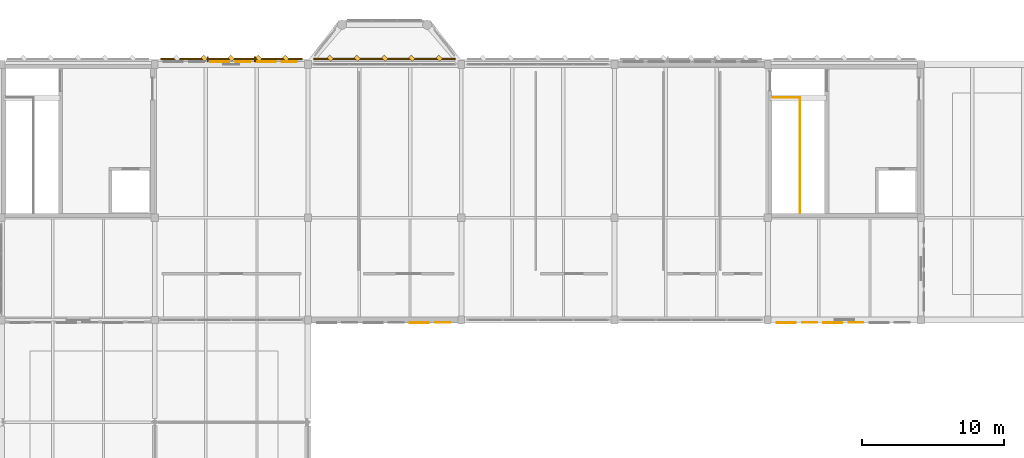
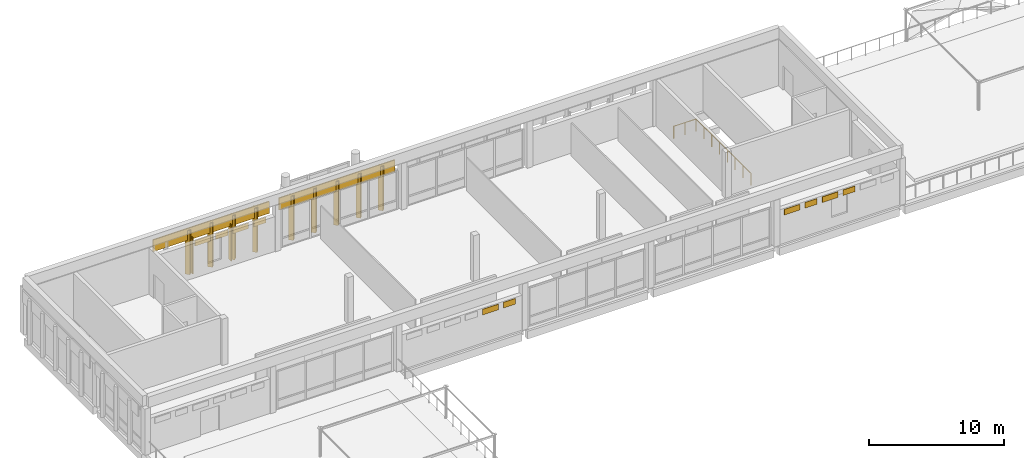
# One storey, part 30 of 33: 23 coverings, 1 railing.
"""IFC4 building model written with IfcOpenShell, lengths in metres."""

from ifc_helpers import new_model, si_unit, direction, frame, origin, origin_2d, place, context, subcontext, project, spatial, rectangle, circle, extrude, material, layer, layer_set, type_object, element, save


model = new_model("IFC4")

# Units and contexts
model_context = context("Model", 3, precision=1e-05, world=origin(), true_north=direction((0.0, 1.0)))
body_context = subcontext(model_context, "Body", "Model", "MODEL_VIEW")
ifc_project = project(units=[si_unit("LENGTHUNIT", "METRE"), si_unit("AREAUNIT", "SQUARE_METRE"), si_unit("VOLUMEUNIT", "CUBIC_METRE"), si_unit("PLANEANGLEUNIT", "RADIAN"), si_unit("MASSUNIT", "GRAM", prefix="KILO")], contexts=[model_context])

# Site, building, storey
site_placement = place(None, origin())
site = spatial("IfcSite", under=ifc_project, at=site_placement, CompositionType="ELEMENT")
building_placement = place(site_placement, origin())
building = spatial("IfcBuilding", under=site, at=building_placement, Name="Lusvemor Sports Hall", CompositionType="ELEMENT")
storey_placement = place(building_placement, frame((0.0, 0.0, 19.199951171875)))
storey = spatial("IfcBuildingStorey", under=building, at=storey_placement, Name="L04", CompositionType="ELEMENT", Elevation=19.199951171875)

# Coverings
ifc_material_1 = material(Name="Emerald polychrome glazed ceramic cladding on Concrete C40/50 backing", Category="concrete")
ifc_layer_1 = layer(ifc_material_1, 0.0458984375)
ifc_layer_set_1 = layer_set([ifc_layer_1], Name="Emerald polychrome glazed ceramic cladding on Concrete C40/50 backing")
covering_type_1 = type_object("IfcCoveringType", Name="CLAD_WAVE_EMERALD", PredefinedType="CLADDING", material=ifc_layer_set_1)
for number, where, z_axis, x_axis, name in (
    (1, (15.38330078125, 115.39794921875, 2.56494140625), (0.0, 0.0, 1.0), (1.0, 0.0, 0.0), "Art Nouveau Patterned Cladding PS-EW-L04-N-1-1-3"),
    (2, (18.64990234375, 115.39794921875, 2.56494140625), (0.0, 0.0, 1.0), (1.0, 0.0, 0.0), "Art Nouveau Patterned Cladding PS-EW-L04-N-1-1-5"),
    (3, (29.449951171875, 97.001953125, 2.56494140625), (0.0, 0.0, 1.0), (1.0, 0.0, 0.0), "Art Nouveau Patterned Cladding PS-EW-L04-S-3-2-5"),
    (4, (55.316650390625, 97.001953125, 2.56494140625), (0.0, 0.0, 1.0), (1.0, 0.0, 0.0), "Art Nouveau Patterned Cladding PS-EW-L04-S-3-5-1"),
    (5, (58.583251953125, 97.001953125, 2.56494140625), (0.0, 0.0, 1.0), (1.0, 0.0, 0.0), "Art Nouveau Patterned Cladding PS-EW-L04-S-3-5-3"),
):
    element("IfcCovering", number, at=place(storey_placement, frame(where, z_axis=z_axis, x_axis=x_axis)), inside=storey, type_object=covering_type_1, Name=name, PredefinedType="CLADDING", context=body_context, shape_type="SweptSolid", body=[
        extrude(rectangle(XDim=1.33935546875, YDim=0.0458984375, at=origin_2d()), origin(), (0.0, 0.0, 1.0), 0.510009765625),
    ])
for number, where, z_axis, x_axis, name in (
    (6, (14.280029296875, 115.639892578125, 0.10009765625), (0.0, 0.0, 1.0), (0.707106781187, 0.707106781187, 0.0), "Patterned Diamond Cladding Rib 552"),
    (7, (18.1201171875, 115.639892578125, 0.10009765625), (0.0, 0.0, 1.0), (0.707106781187, 0.707106781187, 0.0), "Patterned Diamond Cladding Rib 554"),
    (8, (25.080078125, 115.639892578125, 0.10009765625), (0.0, 0.0, 1.0), (0.707106781187, 0.707106781187, 0.0), "Patterned Diamond Cladding Rib 582"),
    (9, (28.919921875, 115.639892578125, 0.10009765625), (0.0, 0.0, 1.0), (0.707106781187, 0.707106781187, 0.0), "Patterned Diamond Cladding Rib 584"),
):
    element("IfcCovering", number, at=place(storey_placement, frame(where, z_axis=z_axis, x_axis=x_axis)), inside=storey, type_object=covering_type_1, Name=name, PredefinedType="CLADDING", context=body_context, shape_type="SweptSolid", body=[
        extrude(rectangle(XDim=0.280029296875, YDim=0.3798828125, at=origin_2d()), origin(), (0.0, 0.0, 1.0), 4.0),
    ])
ifc_material_2 = material(Name="Warm terracotta Art Nouveau ceramic cladding on Concrete C40/50 backing", Category="masonry")
ifc_layer_2 = layer(ifc_material_2, 0.0380859375)
ifc_layer_set_2 = layer_set([ifc_layer_2], Name="Warm terracotta Art Nouveau ceramic cladding on Concrete C40/50 backing")
covering_type_2 = type_object("IfcCoveringType", Name="CLAD_WAVE_OCHRE", PredefinedType="CLADDING", material=ifc_layer_set_2)
for number, where, z_axis, x_axis, name in (
    (10, (17.0166015625, 115.39404296875, 2.56494140625), (0.0, 0.0, 1.0), (1.0, 0.0, 0.0), "Art Nouveau Patterned Cladding PS-EW-L04-N-1-1-4"),
    (11, (20.283203125, 115.39404296875, 2.56494140625), (0.0, 0.0, 1.0), (1.0, 0.0, 0.0), "Art Nouveau Patterned Cladding PS-EW-L04-N-1-1-6"),
    (12, (31.083251953125, 97.006103515625, 2.56494140625), (0.0, 0.0, 1.0), (1.0, 0.0, 0.0), "Art Nouveau Patterned Cladding PS-EW-L04-S-3-2-6"),
    (13, (56.949951171875, 97.006103515625, 2.56494140625), (0.0, 0.0, 1.0), (1.0, 0.0, 0.0), "Art Nouveau Patterned Cladding PS-EW-L04-S-3-5-2"),
    (14, (60.216796875, 97.006103515625, 2.56494140625), (0.0, 0.0, 1.0), (1.0, 0.0, 0.0), "Art Nouveau Patterned Cladding PS-EW-L04-S-3-5-4"),
):
    element("IfcCovering", number, at=place(storey_placement, frame(where, z_axis=z_axis, x_axis=x_axis)), inside=storey, type_object=covering_type_2, Name=name, PredefinedType="CLADDING", context=body_context, shape_type="SweptSolid", body=[
        extrude(rectangle(XDim=1.04541015625, YDim=0.0380859375, at=origin_2d()), origin(), (0.0, 0.0, 1.0), 0.510009765625),
    ])
for number, where, z_axis, x_axis, name in (
    (15, (16.199951171875, 115.590087890625, 3.179931640625), (0.0, 0.0, 1.0), (1.0, 0.0, 0.0), "Art Nouveau Spandrel Cornice 550"),
    (16, (27.0, 115.590087890625, 3.179931640625), (0.0, 0.0, 1.0), (1.0, 0.0, 0.0), "Art Nouveau Spandrel Cornice 580"),
):
    element("IfcCovering", number, at=place(storey_placement, frame(where, z_axis=z_axis, x_axis=x_axis)), inside=storey, type_object=covering_type_2, Name=name, PredefinedType="CLADDING", context=body_context, shape_type="SweptSolid", body=[
        extrude(rectangle(XDim=9.97998046875, YDim=0.090087890625, at=origin_2d()), origin(), (0.0, 0.0, 1.0), 1.080078125),
    ])
ifc_material_3 = material(Name="Emerald polychrome glazed ceramic cladding on Concrete C40/50 backing", Category="concrete")
ifc_layer_3 = layer(ifc_material_3, 0.35009765625)
ifc_layer_set_3 = layer_set([ifc_layer_3], Name="Emerald polychrome glazed ceramic cladding on Concrete C40/50 backing")
covering_type_3 = type_object("IfcCoveringType", Name="FIN_BRISE_CER_350", PredefinedType="MOLDING", material=ifc_layer_set_3)
for number, where, z_axis, x_axis, name in (
    (17, (14.5400390625, 115.56005859375, 0.10009765625), (0.0, 0.0, 1.0), (1.0, 0.0, 0.0), "Wing Brise-Soleil Fin L04-N-1-1-1"),
    (18, (17.860107421875, 115.56005859375, 0.10009765625), (0.0, 0.0, 1.0), (1.0, 0.0, 0.0), "Wing Brise-Soleil Fin L04-N-1-1-2"),
):
    element("IfcCovering", number, at=place(storey_placement, frame(where, z_axis=z_axis, x_axis=x_axis)), inside=storey, type_object=covering_type_3, Name=name, PredefinedType="MOLDING", context=body_context, shape_type="SweptSolid", body=[
        extrude(rectangle(XDim=0.080078125, YDim=0.35009765625, at=origin_2d()), origin(), (0.0, 0.0, 1.0), 3.320068359375),
    ])
ifc_material_4 = material(Name="Warm terracotta Art Nouveau ceramic cladding on Concrete C40/50 backing", Category="masonry")
ifc_layer_4 = layer(ifc_material_4, 0.449951171875)
ifc_layer_set_4 = layer_set([ifc_layer_4], Name="Warm terracotta Art Nouveau ceramic cladding on Concrete C40/50 backing")
covering_type_4 = type_object("IfcCoveringType", Name="FIN_BRISE_CER_450", PredefinedType="MOLDING", material=ifc_layer_set_4)
for number, where, z_axis, x_axis, name in (
    (19, (16.199951171875, 115.639892578125, 0.10009765625), (0.0, 0.0, 1.0), (0.707106781187, 0.707106781187, 0.0), "Patterned Diamond Cladding Rib 553"),
    (20, (20.0400390625, 115.639892578125, 0.10009765625), (0.0, 0.0, 1.0), (0.707106781187, 0.707106781187, 0.0), "Patterned Diamond Cladding Rib 555"),
    (21, (23.159912109375, 115.639892578125, 0.10009765625), (0.0, 0.0, 1.0), (0.707106781187, 0.707106781187, 0.0), "Patterned Diamond Cladding Rib 581"),
    (22, (27.0, 115.639892578125, 0.10009765625), (0.0, 0.0, 1.0), (0.707106781187, 0.707106781187, 0.0), "Patterned Diamond Cladding Rib 583"),
    (23, (30.840087890625, 115.639892578125, 0.10009765625), (0.0, 0.0, 1.0), (0.707106781187, 0.707106781187, 0.0), "Patterned Diamond Cladding Rib 585"),
):
    element("IfcCovering", number, at=place(storey_placement, frame(where, z_axis=z_axis, x_axis=x_axis)), inside=storey, type_object=covering_type_4, Name=name, PredefinedType="MOLDING", context=body_context, shape_type="SweptSolid", body=[
        extrude(rectangle(XDim=0.280029296875, YDim=0.3798828125, at=origin_2d()), origin(), (0.0, 0.0, 1.0), 4.0),
    ])

# Railing
ifc_material_5 = material(Name="Bronze-finished wrought-steel Art Nouveau balustrade", Category="steel")
railing_type = type_object("IfcRailingType", Name="RAIL_STAIR_GUARD_112", PredefinedType="GUARDRAIL", material=ifc_material_5)
railing_placement = place(storey_placement, frame((54.340087890625, 112.8701171875, 0.0)))
element("IfcRailing", 24, at=railing_placement, inside=storey, type_object=railing_type, Name="Stairwell C2 Top Guard (L04)", PredefinedType="GUARDRAIL", context=body_context, shape_type="SweptSolid", body=[
    extrude(circle(Radius=0.02392578125, at=origin_2d()), frame((0.0, 0.0, 1.09619140625), z_axis=(1.0, 0.0, 0.0), x_axis=(0.0, 1.0, 0.0)), (0.0, 0.0, 1.0), 1.919921875),
    extrude(circle(Radius=0.02392578125, at=origin_2d()), frame((1.919921875, 0.0, 1.09619140625), z_axis=(0.0, -1.0, 0.0), x_axis=(1.0, 0.0, 0.0)), (0.0, 0.0, 1.0), 8.130126953125),
    extrude(circle(Radius=0.02099609375, at=origin_2d()), origin(), (0.0, 0.0, 1.0), 1.072021484375),
    extrude(circle(Radius=0.02099609375, at=origin_2d()), frame((0.9599609375, 0.0, 0.0)), (0.0, 0.0, 1.0), 1.072021484375),
    extrude(circle(Radius=0.02099609375, at=origin_2d()), frame((1.919921875, 0.0, 0.0)), (0.0, 0.0, 1.0), 1.072021484375),
    extrude(circle(Radius=0.02099609375, at=origin_2d()), frame((1.919921875, -1.161376953125, 0.0)), (0.0, 0.0, 1.0), 1.072021484375),
    extrude(circle(Radius=0.02099609375, at=origin_2d()), frame((1.919921875, -2.322998046875, 0.0)), (0.0, 0.0, 1.0), 1.072021484375),
    extrude(circle(Radius=0.02099609375, at=origin_2d()), frame((1.919921875, -3.484375, 0.0)), (0.0, 0.0, 1.0), 1.072021484375),
    extrude(circle(Radius=0.02099609375, at=origin_2d()), frame((1.919921875, -4.645751953125, 0.0)), (0.0, 0.0, 1.0), 1.072021484375),
    extrude(circle(Radius=0.02099609375, at=origin_2d()), frame((1.919921875, -5.80712890625, 0.0)), (0.0, 0.0, 1.0), 1.072021484375),
    extrude(circle(Radius=0.02099609375, at=origin_2d()), frame((1.919921875, -6.96875, 0.0)), (0.0, 0.0, 1.0), 1.072021484375),
    extrude(circle(Radius=0.02099609375, at=origin_2d()), frame((1.919921875, -8.130126953125, 0.0)), (0.0, 0.0, 1.0), 1.072021484375),
])

save(model, "model.ifc")
